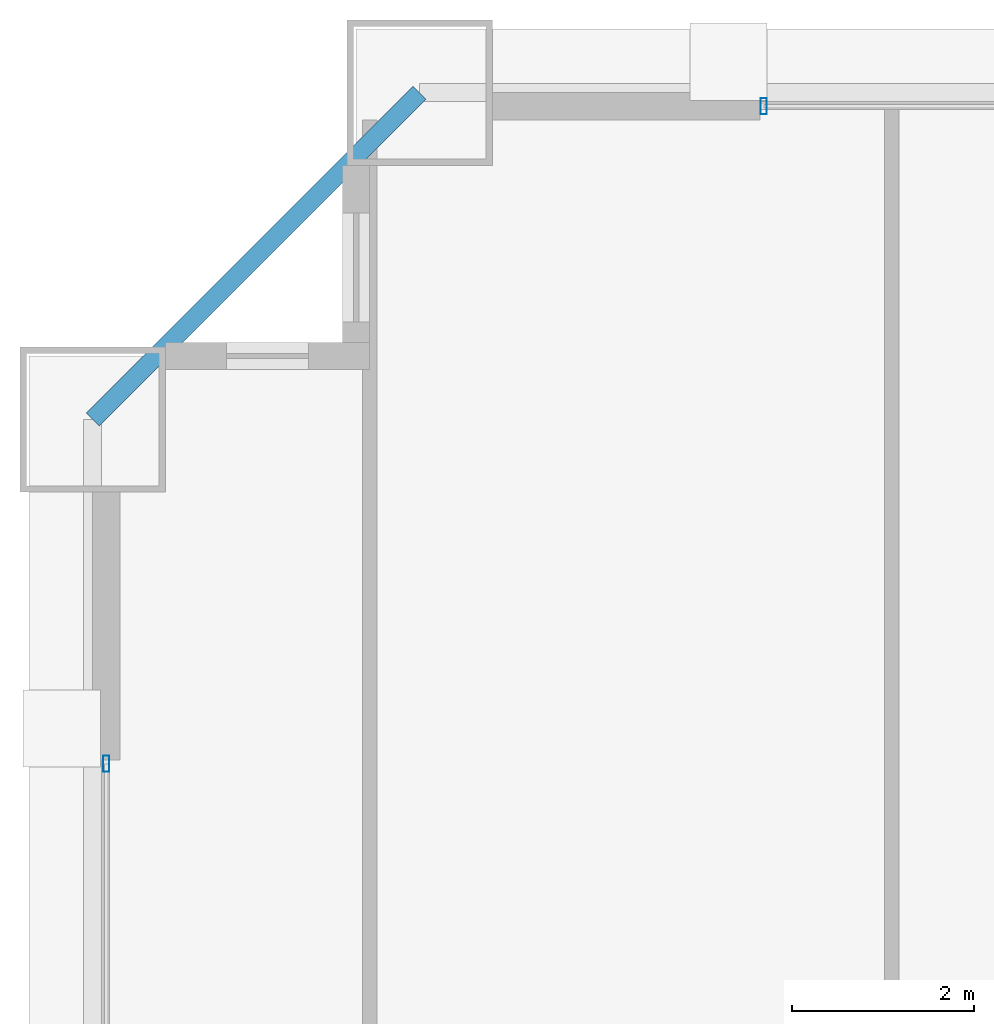
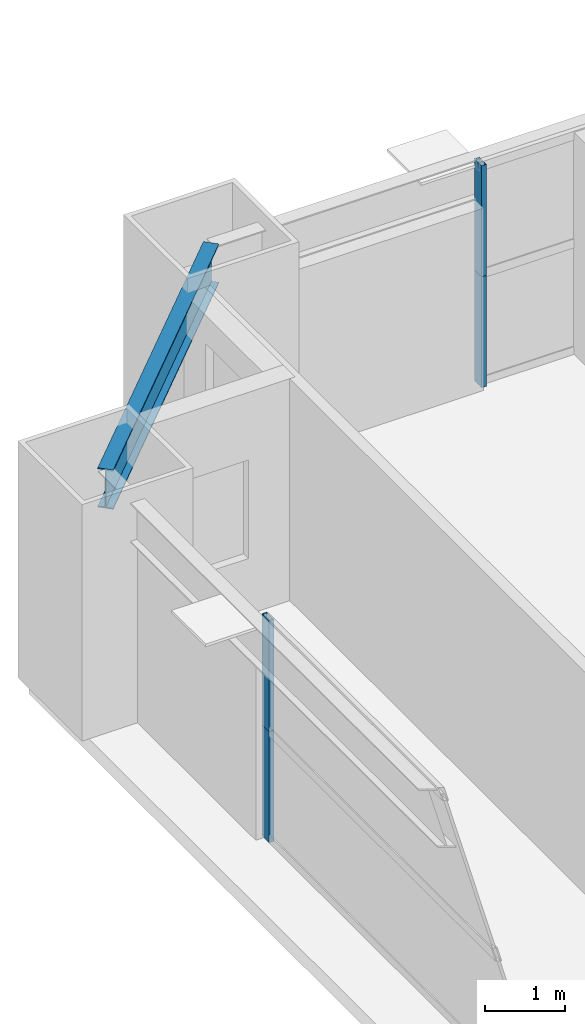
# One storey, part 22 of 38: 4 members, 1 beam, 2 elements without a shape of their own.
"""IFC4 building model written with IfcOpenShell, lengths in metres."""

from ifc_helpers import new_model, si_unit, direction, frame, origin, origin_2d, place, context, subcontext, project, spatial, hollow_rectangle, i_section, extrude, source, transform, mapped, material, layer, layer_set, material_profile, profile_set, type_object, element, aggregate, save


model = new_model("IFC4")

# Units and contexts
model_context = context("Model", 3, precision=1e-05, world=origin(), true_north=direction((0.0, 1.0)))
body_context = subcontext(model_context, "Body", "Model", "MODEL_VIEW")
ifc_project = project(units=[si_unit("LENGTHUNIT", "METRE"), si_unit("AREAUNIT", "SQUARE_METRE"), si_unit("VOLUMEUNIT", "CUBIC_METRE"), si_unit("PLANEANGLEUNIT", "RADIAN"), si_unit("MASSUNIT", "GRAM", prefix="KILO"), si_unit("THERMODYNAMICTEMPERATUREUNIT", "KELVIN"), si_unit("POWERUNIT", "WATT")], contexts=[model_context])

# Site, building, storey
site_placement = place(None, origin())
site = spatial("IfcSite", under=ifc_project, at=site_placement, CompositionType="ELEMENT")
building_placement = place(site_placement, origin())
building = spatial("IfcBuilding", under=site, at=building_placement, Name="Yuzanri Waterfront Tower", CompositionType="ELEMENT")
storey_placement = place(building_placement, frame((0.0, 0.0, 111.800048828125)))
storey = spatial("IfcBuildingStorey", under=building, at=storey_placement, Name="L29", CompositionType="ELEMENT", Elevation=111.800048828125)

# Beam
ifc_material_1 = material(Name="Steel Q355B", Category="steel")
ifc_material_profile_1 = material_profile(ifc_material_1, i_section(OverallWidth=0.199951171875, OverallDepth=0.60009765625, WebThickness=0.010986328125, FlangeThickness=0.01708984375, at=origin_2d()), Name="HN 600x200x11x17")
ifc_profile_set_1 = profile_set([ifc_material_profile_1], Name="Steel Q355B")
beam_type = type_object("IfcBeamType", Name="Perimeter Spandrel Q355B HN 600x200", PredefinedType="SPANDREL", material=ifc_profile_set_1)
shared_shape_1 = source(origin(), body_context, "Body", "SweptSolid", [
    extrude(i_section(OverallWidth=0.199951171875, OverallDepth=0.60009765625, WebThickness=0.010986328125, FlangeThickness=0.01708984375, at=origin_2d()), origin(), (0.0, 0.0, 1.0), 5.091064453125),
])
beam_placement = place(storey_placement, frame((17.0, 49.39990234375, 3.079833984375), z_axis=(-0.707130757816, -0.707082803744, 0.0), x_axis=(0.707082803744, -0.707130757816, 0.0)))
element("IfcBeam", 1, at=beam_placement, inside=storey, type_object=beam_type, Name="L29 Perimeter Spandrel N1-W3", PredefinedType="SPANDREL", context=body_context, shape_type="MappedRepresentation", body=[
    mapped(shared_shape_1, transform((0.0, 0.0, 0.0), scale=1.0)),
])

# Curtain wall, members
ifc_material_2 = material(Name="Anodized Architectural Bronze", Category="metal")
ifc_layer = layer(ifc_material_2, 0.159912109375)
ifc_layer_set = layer_set([ifc_layer], Name="Anodized Architectural Bronze")
curtain_wall_type = type_object("IfcCurtainWallType", Name="Anodized Bronze Hotel Upper-Tier Solar-Control Unitized Curtain Wall 7800", PredefinedType="NOTDEFINED", material=ifc_layer_set)
curtain_wall_1_placement = place(storey_placement, origin())
curtain_wall_1 = element("IfcCurtainWall", 2, at=curtain_wall_1_placement, inside=storey, type_object=curtain_wall_type, Name="L29 Curtain Wall CW-L29-NL", PredefinedType="NOTDEFINED")
ifc_material_3 = material(Name="Anodized Architectural Bronze", Category="metal")
ifc_material_profile_2 = material_profile(ifc_material_3, hollow_rectangle(XDim=0.070068359375, YDim=0.179931640625, WallThickness=0.00390625, at=origin_2d()), Name="CWM 70x180")
ifc_profile_set_2 = profile_set([ifc_material_profile_2], Name="Anodized Architectural Bronze")
member_type = type_object("IfcMemberType", Name="Anodized Bronze Standard Curtain-Wall Mullion 70x180", PredefinedType="MULLION", material=ifc_profile_set_2)
shared_shape_2 = source(origin(), body_context, "Body", "SweptSolid", [
    extrude(hollow_rectangle(XDim=0.070068359375, YDim=0.179931640625, WallThickness=0.00390625, at=origin_2d()), origin(), (0.0, 0.0, 1.0), 1.68798828125),
])
member_1_placement = place(storey_placement, frame((20.7900390625, 49.25, 0.0), z_axis=(0.0, 0.0, 1.0), x_axis=(1.0, 0.0, 0.0)))
member_1 = element("IfcMember", 3, at=member_1_placement, type_object=member_type, Name="CW-L29-NL Lower Mullion 00", PredefinedType="MULLION", context=body_context, shape_type="MappedRepresentation", body=[
    mapped(shared_shape_2, transform((0.0, 0.0, 0.0), scale=1.0)),
])
member_2_placement = place(storey_placement, frame((20.7900390625, 49.25, 1.69189453125), z_axis=(0.0, 0.0, 1.0), x_axis=(1.0, 0.0, 0.0)))
member_2 = element("IfcMember", 4, at=member_2_placement, type_object=member_type, Name="CW-L29-NL Upper Mullion 00", PredefinedType="MULLION", context=body_context, shape_type="MappedRepresentation", body=[
    mapped(shared_shape_2, transform((0.0, 0.0, 0.0), scale=1.0)),
])
aggregate(curtain_wall_1, [member_1, member_2])

curtain_wall_2_placement = place(storey_placement, origin())
curtain_wall_2 = element("IfcCurtainWall", 5, at=curtain_wall_2_placement, inside=storey, type_object=curtain_wall_type, Name="L29 Curtain Wall CW-L29-WR", PredefinedType="NOTDEFINED")
member_3_placement = place(storey_placement, frame((13.550048828125, 42.010009765625, 0.0), z_axis=(0.0, 0.0, 1.0), x_axis=(1.0, 0.0, 0.0)))
member_3 = element("IfcMember", 6, at=member_3_placement, type_object=member_type, Name="CW-L29-WR Lower Mullion 02", PredefinedType="MULLION", context=body_context, shape_type="MappedRepresentation", body=[
    mapped(shared_shape_2, transform((0.0, 0.0, 0.0), scale=1.0)),
])
member_4_placement = place(storey_placement, frame((13.550048828125, 42.010009765625, 1.69189453125), z_axis=(0.0, 0.0, 1.0), x_axis=(1.0, 0.0, 0.0)))
member_4 = element("IfcMember", 7, at=member_4_placement, type_object=member_type, Name="CW-L29-WR Upper Mullion 02", PredefinedType="MULLION", context=body_context, shape_type="MappedRepresentation", body=[
    mapped(shared_shape_2, transform((0.0, 0.0, 0.0), scale=1.0)),
])
aggregate(curtain_wall_2, [member_3, member_4])

save(model, "model.ifc")
